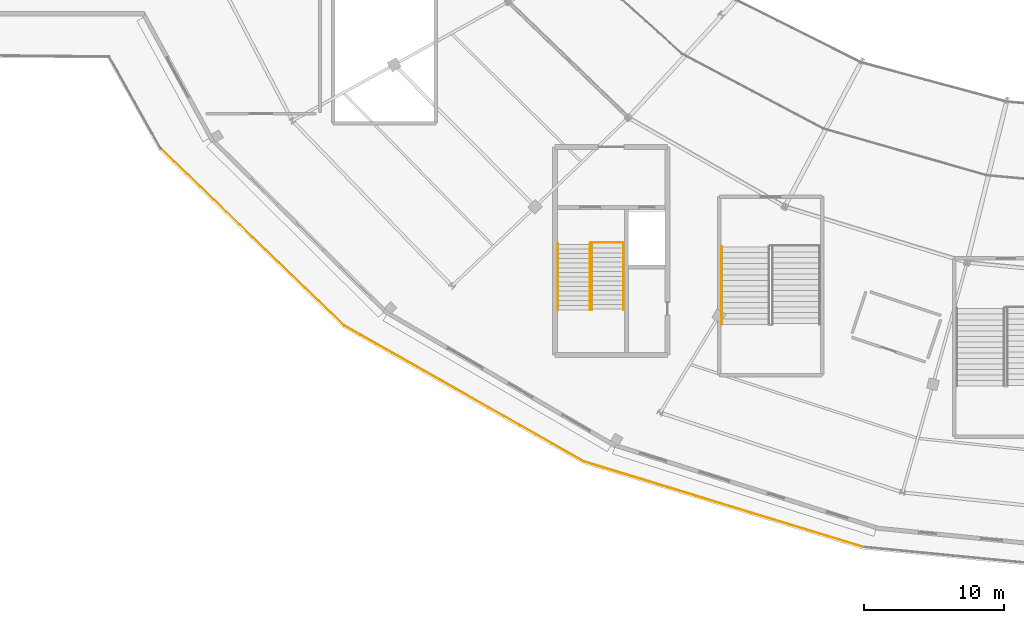
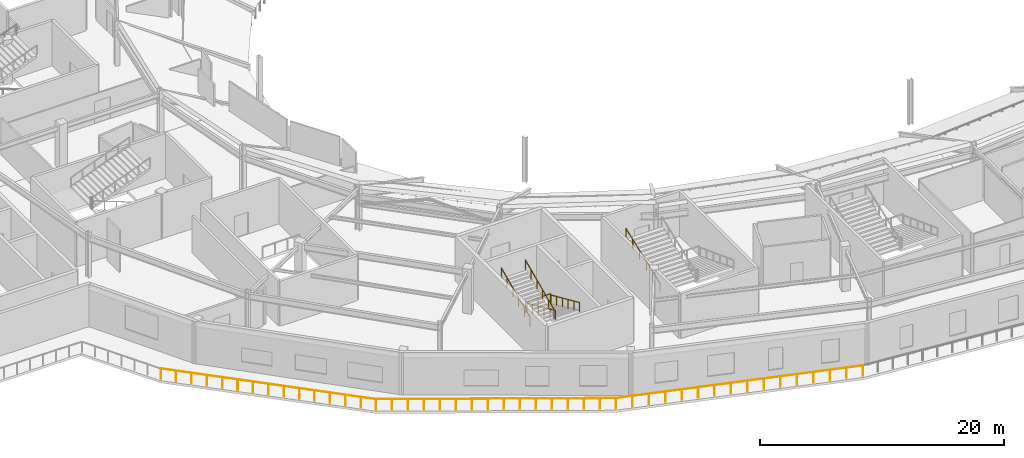
# One storey, part 45 of 63: 9 railings.
"""IFC4 building model written with IfcOpenShell, lengths in metres."""

from ifc_helpers import new_model, si_unit, direction, frame, origin, origin_2d, place, context, subcontext, project, spatial, circle, extrude, material, type_object, element, save


model = new_model("IFC4")

# Units and contexts
model_context = context("Model", 3, precision=1e-05, world=origin(), true_north=direction((0.0, 1.0)))
body_context = subcontext(model_context, "Body", "Model", "MODEL_VIEW")
ifc_project = project(units=[si_unit("LENGTHUNIT", "METRE"), si_unit("AREAUNIT", "SQUARE_METRE"), si_unit("VOLUMEUNIT", "CUBIC_METRE"), si_unit("PLANEANGLEUNIT", "RADIAN"), si_unit("MASSUNIT", "GRAM", prefix="KILO")], contexts=[model_context])

# Site, building, storey
site_placement = place(None, origin())
site = spatial("IfcSite", under=ifc_project, at=site_placement, CompositionType="ELEMENT")
building_placement = place(site_placement, origin())
building = spatial("IfcBuilding", under=site, at=building_placement, Name="Kalgoora Escarpment Arena", CompositionType="ELEMENT")
storey_placement = place(building_placement, frame((0.0, 0.0, 14.39990234375)))
storey = spatial("IfcBuildingStorey", under=building, at=storey_placement, Name="L03", CompositionType="ELEMENT", Elevation=14.39990234375)

# Railings
ifc_material_1 = material(Name="Galvanised & powdercoated tubular steel", Category="steel")
railing_type_1 = type_object("IfcRailingType", Name="RAL-GUARD-1120", PredefinedType="GUARDRAIL", material=ifc_material_1)
railing_1_placement = place(storey_placement, frame((53.889892578125, 26.7900390625, 0.0)))
element("IfcRailing", 1, at=railing_1_placement, inside=storey, type_object=railing_type_1, Name="ST05 L03 floor landing well guard", PredefinedType="GUARDRAIL", context=body_context, shape_type="SweptSolid", body=[
    extrude(circle(Radius=0.02392578125, at=origin_2d()), frame((0.0, 0.0, 1.09619140625), z_axis=(-1.0, 0.0, 0.0), x_axis=(0.0, -1.0, 0.0)), (0.0, 0.0, 1.0), 2.33984375),
    extrude(circle(Radius=0.02099609375, at=origin_2d()), origin(), (0.0, 0.0, 1.0), 1.072021484375),
    extrude(circle(Radius=0.02099609375, at=origin_2d()), frame((-1.169921875, 0.0, 0.0)), (0.0, 0.0, 1.0), 1.072021484375),
    extrude(circle(Radius=0.02099609375, at=origin_2d()), frame((-2.33984375, 0.0, 0.0)), (0.0, 0.0, 1.0), 1.072021484375),
])
ifc_material_2 = material(Name="Brushed stainless steel 316 handrail", Category="steel")
railing_type_2 = type_object("IfcRailingType", Name="RAL-HAND-920", PredefinedType="HANDRAIL", material=ifc_material_2)
for number, where, name in (
    (2, (53.89990234375, 26.7099609375, 0.110107421875), "ST05 L03 pitched stair handrail F1L"),
    (3, (51.6201171875, 26.7099609375, 0.110107421875), "ST05 L03 pitched stair handrail F1R"),
):
    element("IfcRailing", number, at=place(storey_placement, frame(where)), inside=storey, type_object=railing_type_2, Name=name, PredefinedType="HANDRAIL", context=body_context, shape_type="SweptSolid", body=[
        extrude(circle(Radius=0.02392578125, at=origin_2d()), frame((0.0, 0.0, 0.89599609375), z_axis=(0.0, -0.913643874524, 0.406515523129), x_axis=(1.0, 0.0, 0.0)), (0.0, 0.0, 1.0), 5.166015625),
        extrude(circle(Radius=0.02099609375, at=origin_2d()), origin(), (0.0, 0.0, 1.0), 0.871826171875),
        extrude(circle(Radius=0.02099609375, at=origin_2d()), frame((0.0, -0.944091796875, 0.419921875)), (0.0, 0.0, 1.0), 0.871826171875),
        extrude(circle(Radius=0.02099609375, at=origin_2d()), frame((0.0, -1.887939453125, 0.840087890625)), (0.0, 0.0, 1.0), 0.871826171875),
        extrude(circle(Radius=0.02099609375, at=origin_2d()), frame((0.0, -2.83203125, 1.260009765625)), (0.0, 0.0, 1.0), 0.871826171875),
        extrude(circle(Radius=0.02099609375, at=origin_2d()), frame((0.0, -3.77587890625, 1.68017578125)), (0.0, 0.0, 1.0), 0.871826171875),
        extrude(circle(Radius=0.02099609375, at=origin_2d()), frame((0.0, -4.719970703125, 2.10009765625)), (0.0, 0.0, 1.0), 0.871826171875),
    ])
for number, where, name in (
    (4, (51.47998046875, 21.989990234375, 2.360107421875), "ST05 L03 pitched stair handrail F2L"),
    (5, (49.199951171875, 21.989990234375, 2.360107421875), "ST05 L03 pitched stair handrail F2R"),
):
    element("IfcRailing", number, at=place(storey_placement, frame(where)), inside=storey, type_object=railing_type_2, Name=name, PredefinedType="HANDRAIL", context=body_context, shape_type="SweptSolid", body=[
        extrude(circle(Radius=0.02392578125, at=origin_2d()), frame((0.0, 0.0, 0.89599609375), z_axis=(0.0, 0.913643874524, 0.406515523129), x_axis=(-1.0, 0.0, 0.0)), (0.0, 0.0, 1.0), 5.166015625),
        extrude(circle(Radius=0.02099609375, at=origin_2d()), origin(), (0.0, 0.0, 1.0), 0.871826171875),
        extrude(circle(Radius=0.02099609375, at=origin_2d()), frame((0.0, 0.944091796875, 0.419921875)), (0.0, 0.0, 1.0), 0.871826171875),
        extrude(circle(Radius=0.02099609375, at=origin_2d()), frame((0.0, 1.887939453125, 0.840087890625)), (0.0, 0.0, 1.0), 0.871826171875),
        extrude(circle(Radius=0.02099609375, at=origin_2d()), frame((0.0, 2.83203125, 1.260009765625)), (0.0, 0.0, 1.0), 0.871826171875),
        extrude(circle(Radius=0.02099609375, at=origin_2d()), frame((0.0, 3.77587890625, 1.68017578125)), (0.0, 0.0, 1.0), 0.871826171875),
        extrude(circle(Radius=0.02099609375, at=origin_2d()), frame((0.0, 4.719970703125, 2.10009765625)), (0.0, 0.0, 1.0), 0.871826171875),
    ])
railing_2_placement = place(storey_placement, frame((60.89990234375, 20.949951171875, 2.360107421875)))
element("IfcRailing", 6, at=railing_2_placement, inside=storey, type_object=railing_type_2, Name="ST13 L03 pitched stair handrail F2R", PredefinedType="HANDRAIL", context=body_context, shape_type="SweptSolid", body=[
    extrude(circle(Radius=0.02392578125, at=origin_2d()), frame((0.0, 0.0, 0.89599609375), z_axis=(0.0, 0.935492612948, 0.353346248203), x_axis=(-1.0, 0.0, 0.0)), (0.0, 0.0, 1.0), 5.943359375),
    extrude(circle(Radius=0.02099609375, at=origin_2d()), origin(), (0.0, 0.0, 1.0), 0.871826171875),
    extrude(circle(Radius=0.02099609375, at=origin_2d()), frame((0.0, 1.112060546875, 0.419921875)), (0.0, 0.0, 1.0), 0.871826171875),
    extrude(circle(Radius=0.02099609375, at=origin_2d()), frame((0.0, 2.22412109375, 0.840087890625)), (0.0, 0.0, 1.0), 0.871826171875),
    extrude(circle(Radius=0.02099609375, at=origin_2d()), frame((0.0, 3.3359375, 1.260009765625)), (0.0, 0.0, 1.0), 0.871826171875),
    extrude(circle(Radius=0.02099609375, at=origin_2d()), frame((0.0, 4.447998046875, 1.68017578125)), (0.0, 0.0, 1.0), 0.871826171875),
    extrude(circle(Radius=0.02099609375, at=origin_2d()), frame((0.0, 5.56005859375, 2.10009765625)), (0.0, 0.0, 1.0), 0.871826171875),
])
ifc_material_3 = material(Name="Champagne anodised aluminium & laminated glass", Category="aluminium")
railing_type_3 = type_object("IfcRailingType", Name="RAL-TERR-1100", PredefinedType="GUARDRAIL", material=ifc_material_3)
railing_3_placement = place(storey_placement, frame((71.001220703125, 5.04296875, 0.0)))
element("IfcRailing", 7, at=railing_3_placement, inside=storey, type_object=railing_type_3, Name="Upper Planted Elliptical Garden Terrace perimeter guardrail 002", PredefinedType="GUARDRAIL", context=body_context, shape_type="SweptSolid", body=[
    extrude(circle(Radius=0.02392578125, at=origin_2d()), frame((0.0, 0.0, 1.09619140625), z_axis=(-0.956190725291, 0.292744422435, 0.0), x_axis=(-0.292744422435, -0.956190725291, 0.0)), (0.0, 0.0, 1.0), 20.85107421875),
    extrude(circle(Radius=0.02099609375, at=origin_2d()), origin(), (0.0, 0.0, 1.0), 1.072021484375),
    extrude(circle(Radius=0.02099609375, at=origin_2d()), frame((-1.3291015625, 0.406982421875, 0.0)), (0.0, 0.0, 1.0), 1.072021484375),
    extrude(circle(Radius=0.02099609375, at=origin_2d()), frame((-2.658447265625, 0.81396484375, 0.0)), (0.0, 0.0, 1.0), 1.072021484375),
    extrude(circle(Radius=0.02099609375, at=origin_2d()), frame((-3.987548828125, 1.220703125, 0.0)), (0.0, 0.0, 1.0), 1.072021484375),
    extrude(circle(Radius=0.02099609375, at=origin_2d()), frame((-5.316650390625, 1.627685546875, 0.0)), (0.0, 0.0, 1.0), 1.072021484375),
    extrude(circle(Radius=0.02099609375, at=origin_2d()), frame((-6.645751953125, 2.03466796875, 0.0)), (0.0, 0.0, 1.0), 1.072021484375),
    extrude(circle(Radius=0.02099609375, at=origin_2d()), frame((-7.97509765625, 2.441650390625, 0.0)), (0.0, 0.0, 1.0), 1.072021484375),
    extrude(circle(Radius=0.02099609375, at=origin_2d()), frame((-9.30419921875, 2.8486328125, 0.0)), (0.0, 0.0, 1.0), 1.072021484375),
    extrude(circle(Radius=0.02099609375, at=origin_2d()), frame((-10.63330078125, 3.25537109375, 0.0)), (0.0, 0.0, 1.0), 1.072021484375),
    extrude(circle(Radius=0.02099609375, at=origin_2d()), frame((-11.96240234375, 3.662353515625, 0.0)), (0.0, 0.0, 1.0), 1.072021484375),
    extrude(circle(Radius=0.02099609375, at=origin_2d()), frame((-13.291748046875, 4.0693359375, 0.0)), (0.0, 0.0, 1.0), 1.072021484375),
    extrude(circle(Radius=0.02099609375, at=origin_2d()), frame((-14.620849609375, 4.476318359375, 0.0)), (0.0, 0.0, 1.0), 1.072021484375),
    extrude(circle(Radius=0.02099609375, at=origin_2d()), frame((-15.949951171875, 4.88330078125, 0.0)), (0.0, 0.0, 1.0), 1.072021484375),
    extrude(circle(Radius=0.02099609375, at=origin_2d()), frame((-17.279052734375, 5.2900390625, 0.0)), (0.0, 0.0, 1.0), 1.072021484375),
    extrude(circle(Radius=0.02099609375, at=origin_2d()), frame((-18.6083984375, 5.697021484375, 0.0)), (0.0, 0.0, 1.0), 1.072021484375),
    extrude(circle(Radius=0.02099609375, at=origin_2d()), frame((-19.9375, 6.10400390625, 0.0)), (0.0, 0.0, 1.0), 1.072021484375),
])
railing_4_placement = place(storey_placement, frame((51.063720703125, 11.14697265625, 0.0)))
element("IfcRailing", 8, at=railing_4_placement, inside=storey, type_object=railing_type_3, Name="Upper Planted Elliptical Garden Terrace perimeter guardrail 003", PredefinedType="GUARDRAIL", context=body_context, shape_type="SweptSolid", body=[
    extrude(circle(Radius=0.02392578125, at=origin_2d()), frame((0.0, 0.0, 1.09619140625), z_axis=(-0.869839760169, 0.493334360883, 0.0), x_axis=(-0.493334360883, -0.869839760169, 0.0)), (0.0, 0.0, 1.0), 19.6767578125),
    extrude(circle(Radius=0.02099609375, at=origin_2d()), origin(), (0.0, 0.0, 1.0), 1.072021484375),
    extrude(circle(Radius=0.02099609375, at=origin_2d()), frame((-1.14111328125, 0.647216796875, 0.0)), (0.0, 0.0, 1.0), 1.072021484375),
    extrude(circle(Radius=0.02099609375, at=origin_2d()), frame((-2.281982421875, 1.294189453125, 0.0)), (0.0, 0.0, 1.0), 1.072021484375),
    extrude(circle(Radius=0.02099609375, at=origin_2d()), frame((-3.423095703125, 1.94140625, 0.0)), (0.0, 0.0, 1.0), 1.072021484375),
    extrude(circle(Radius=0.02099609375, at=origin_2d()), frame((-4.564208984375, 2.588623046875, 0.0)), (0.0, 0.0, 1.0), 1.072021484375),
    extrude(circle(Radius=0.02099609375, at=origin_2d()), frame((-5.705322265625, 3.23583984375, 0.0)), (0.0, 0.0, 1.0), 1.072021484375),
    extrude(circle(Radius=0.02099609375, at=origin_2d()), frame((-6.84619140625, 3.8828125, 0.0)), (0.0, 0.0, 1.0), 1.072021484375),
    extrude(circle(Radius=0.02099609375, at=origin_2d()), frame((-7.9873046875, 4.530029296875, 0.0)), (0.0, 0.0, 1.0), 1.072021484375),
    extrude(circle(Radius=0.02099609375, at=origin_2d()), frame((-9.12841796875, 5.17724609375, 0.0)), (0.0, 0.0, 1.0), 1.072021484375),
    extrude(circle(Radius=0.02099609375, at=origin_2d()), frame((-10.26953125, 5.824462890625, 0.0)), (0.0, 0.0, 1.0), 1.072021484375),
    extrude(circle(Radius=0.02099609375, at=origin_2d()), frame((-11.410400390625, 6.471435546875, 0.0)), (0.0, 0.0, 1.0), 1.072021484375),
    extrude(circle(Radius=0.02099609375, at=origin_2d()), frame((-12.551513671875, 7.11865234375, 0.0)), (0.0, 0.0, 1.0), 1.072021484375),
    extrude(circle(Radius=0.02099609375, at=origin_2d()), frame((-13.692626953125, 7.765869140625, 0.0)), (0.0, 0.0, 1.0), 1.072021484375),
    extrude(circle(Radius=0.02099609375, at=origin_2d()), frame((-14.833740234375, 8.4130859375, 0.0)), (0.0, 0.0, 1.0), 1.072021484375),
    extrude(circle(Radius=0.02099609375, at=origin_2d()), frame((-15.974609375, 9.06005859375, 0.0)), (0.0, 0.0, 1.0), 1.072021484375),
    extrude(circle(Radius=0.02099609375, at=origin_2d()), frame((-17.11572265625, 9.707275390625, 0.0)), (0.0, 0.0, 1.0), 1.072021484375),
])
railing_5_placement = place(storey_placement, frame((33.947998046875, 20.854248046875, 0.0)))
element("IfcRailing", 9, at=railing_5_placement, inside=storey, type_object=railing_type_3, Name="Upper Planted Elliptical Garden Terrace perimeter guardrail 004", PredefinedType="GUARDRAIL", context=body_context, shape_type="SweptSolid", body=[
    extrude(circle(Radius=0.02392578125, at=origin_2d()), frame((0.0, 0.0, 1.09619140625), z_axis=(-0.720217088621, 0.693748762347, 0.0), x_axis=(-0.693748762347, -0.720217088621, 0.0)), (0.0, 0.0, 1.0), 18.226318359375),
    extrude(circle(Radius=0.02099609375, at=origin_2d()), origin(), (0.0, 0.0, 1.0), 1.072021484375),
    extrude(circle(Radius=0.02099609375, at=origin_2d()), frame((-0.937744140625, 0.903076171875, 0.0)), (0.0, 0.0, 1.0), 1.072021484375),
    extrude(circle(Radius=0.02099609375, at=origin_2d()), frame((-1.875244140625, 1.806396484375, 0.0)), (0.0, 0.0, 1.0), 1.072021484375),
    extrude(circle(Radius=0.02099609375, at=origin_2d()), frame((-2.81298828125, 2.70947265625, 0.0)), (0.0, 0.0, 1.0), 1.072021484375),
    extrude(circle(Radius=0.02099609375, at=origin_2d()), frame((-3.75048828125, 3.61279296875, 0.0)), (0.0, 0.0, 1.0), 1.072021484375),
    extrude(circle(Radius=0.02099609375, at=origin_2d()), frame((-4.688232421875, 4.515869140625, 0.0)), (0.0, 0.0, 1.0), 1.072021484375),
    extrude(circle(Radius=0.02099609375, at=origin_2d()), frame((-5.625732421875, 5.419189453125, 0.0)), (0.0, 0.0, 1.0), 1.072021484375),
    extrude(circle(Radius=0.02099609375, at=origin_2d()), frame((-6.5634765625, 6.322265625, 0.0)), (0.0, 0.0, 1.0), 1.072021484375),
    extrude(circle(Radius=0.02099609375, at=origin_2d()), frame((-7.501220703125, 7.225341796875, 0.0)), (0.0, 0.0, 1.0), 1.072021484375),
    extrude(circle(Radius=0.02099609375, at=origin_2d()), frame((-8.438720703125, 8.128662109375, 0.0)), (0.0, 0.0, 1.0), 1.072021484375),
    extrude(circle(Radius=0.02099609375, at=origin_2d()), frame((-9.37646484375, 9.03173828125, 0.0)), (0.0, 0.0, 1.0), 1.072021484375),
    extrude(circle(Radius=0.02099609375, at=origin_2d()), frame((-10.31396484375, 9.93505859375, 0.0)), (0.0, 0.0, 1.0), 1.072021484375),
    extrude(circle(Radius=0.02099609375, at=origin_2d()), frame((-11.251708984375, 10.838134765625, 0.0)), (0.0, 0.0, 1.0), 1.072021484375),
    extrude(circle(Radius=0.02099609375, at=origin_2d()), frame((-12.189208984375, 11.741455078125, 0.0)), (0.0, 0.0, 1.0), 1.072021484375),
    extrude(circle(Radius=0.02099609375, at=origin_2d()), frame((-13.126953125, 12.64453125, 0.0)), (0.0, 0.0, 1.0), 1.072021484375),
])

save(model, "model.ifc")
